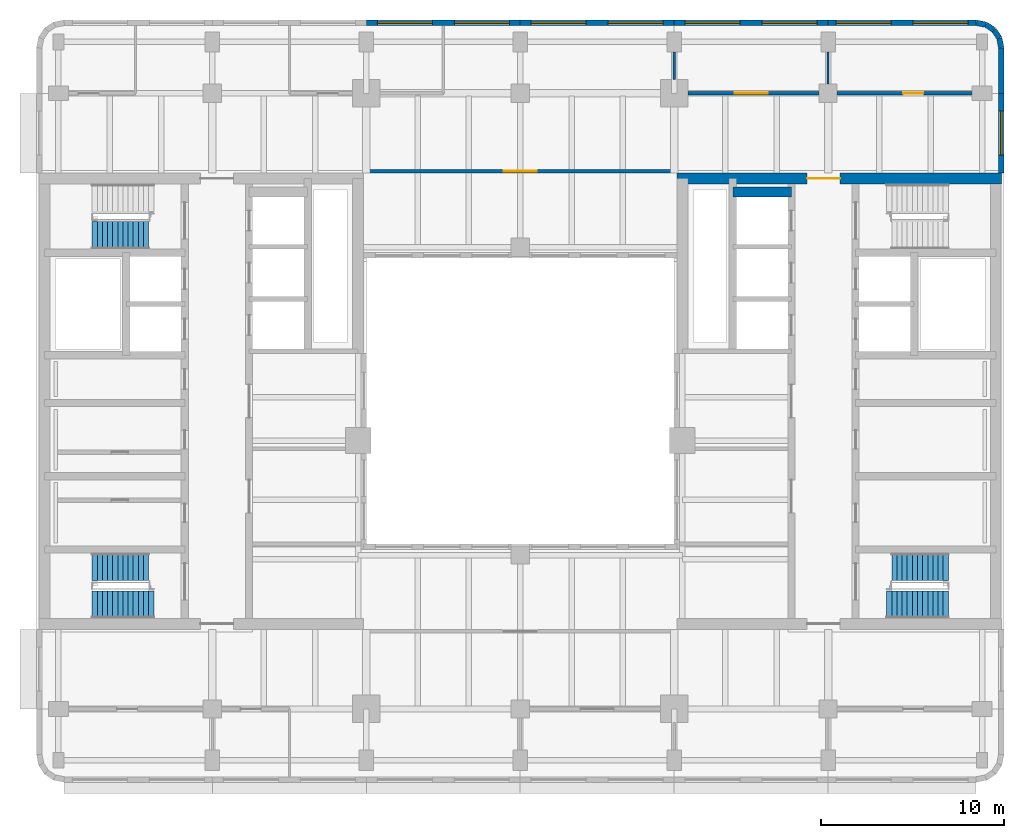
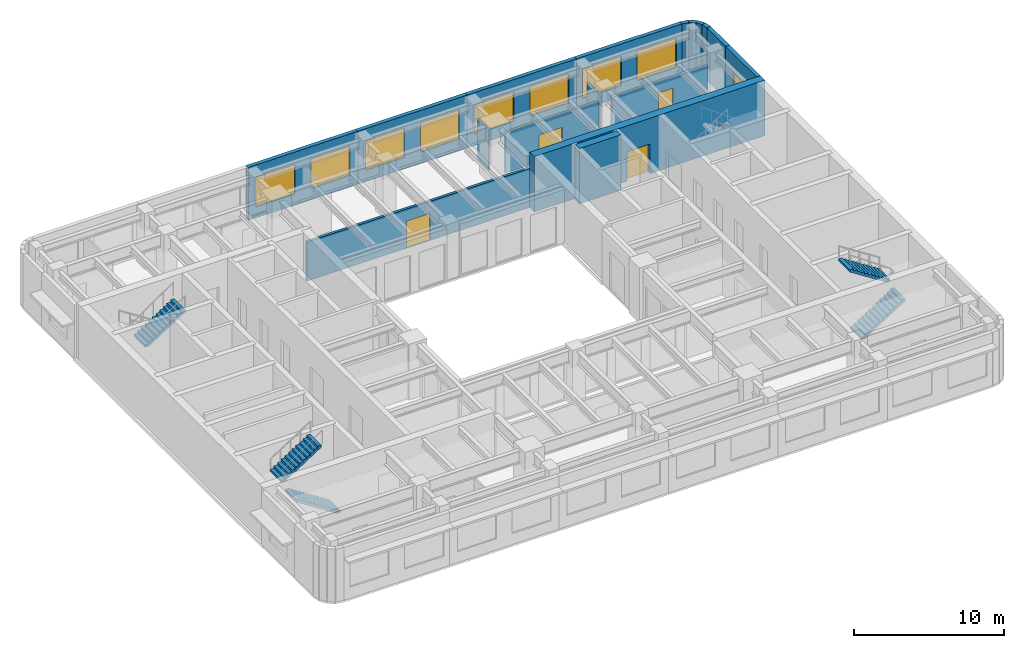
# One storey, part 7 of 13: 17 walls, 9 windows, 5 stair flights, 4 doors, 13 openings, 3 elements without a shape of their own.
"""IFC4 building model written with IfcOpenShell, lengths in metres."""

import ifcopenshell
import ifcopenshell.guid

model = None  # the IFC model being written
_history = None  # IfcOwnerHistory: only IFC2X3 demands one
_inside = {}  # id of a spatial element -> (the spatial element, [elements in it])
_under = {}  # id of a project, library or spatial element -> (it, [spatial elements below it])
_declared = {}  # id of a project -> (the project, [libraries it declares])
_typed = {}  # id of a type object -> (the type object, [elements of that type])
_made_of = {}  # id of a material, layer set ... -> (it, [elements and type objects made of it])


def new_model(schema):
    """Start an empty IFC model of exactly this schema.

    Asked for "IFC4X3", IfcOpenShell would pick the latest addendum, in which some entities
    have other attributes; the version numbers below select the first issue.
    IFC2X3 requires an IfcOwnerHistory on every rooted entity: one is made here for all.
    """
    global model, _history
    if schema == "IFC4X3":
        model = ifcopenshell.file(schema_version=(4, 3, 0, 0))
    else:
        model = ifcopenshell.file(schema=schema)
    _inside.clear()
    _under.clear()
    _declared.clear()
    _typed.clear()
    _made_of.clear()
    _history = None
    if model.schema == "IFC2X3":
        org = make("IfcOrganization", Name="unknown")
        user = make(
            "IfcPersonAndOrganization",
            ThePerson=make("IfcPerson", FamilyName="unknown"),
            TheOrganization=org,
        )
        app = make(
            "IfcApplication",
            ApplicationDeveloper=org,
            Version="unknown",
            ApplicationFullName="unknown",
            ApplicationIdentifier="unknown",
        )
        _history = make(
            "IfcOwnerHistory",
            OwningUser=user,
            OwningApplication=app,
            ChangeAction="ADDED",
            CreationDate=0,
        )
    return model


def make(cls, **values):
    """One entity of the class cls with the attributes given. An attribute that is None is left unset."""
    return model.create_entity(
        cls, **{name: value for name, value in values.items() if value is not None}
    )


def rooted(cls, **values):
    """An entity with a GlobalId (a new one), such as an element, a storey or a relation."""
    return make(cls, GlobalId=ifcopenshell.guid.new(), OwnerHistory=_history, **values)


def si_unit(unit_type, name, prefix=None):
    """IfcSIUnit, for example si_unit("LENGTHUNIT", "METRE", prefix="MILLI")."""
    return make("IfcSIUnit", UnitType=unit_type, Prefix=prefix, Name=name)


def assignment(units):
    """IfcUnitAssignment: the units of a project."""
    return None if units is None else make("IfcUnitAssignment", Units=units)


def point(xyz):
    """IfcCartesianPoint."""
    return None if xyz is None else make("IfcCartesianPoint", Coordinates=xyz)


def direction(xyz):
    """IfcDirection."""
    return None if xyz is None else make("IfcDirection", DirectionRatios=xyz)


def frame(location, z_axis=None, x_axis=None):
    """IfcAxis2Placement3D, a coordinate frame: its origin and axes. An axis left out is left unset."""
    return make(
        "IfcAxis2Placement3D",
        Location=point(location),
        Axis=direction(z_axis),
        RefDirection=direction(x_axis),
    )


def frame_2d(location, x_axis=None):
    """IfcAxis2Placement2D, a coordinate frame in the plane: its origin and x axis."""
    return make(
        "IfcAxis2Placement2D", Location=point(location), RefDirection=direction(x_axis)
    )


def origin():
    """The frame at (0, 0, 0) with its axes left unset."""
    return frame((0.0, 0.0, 0.0))


def place(relative_to, where):
    """IfcLocalPlacement: puts the frame where relative to a parent placement (None: the world)."""
    return make(
        "IfcLocalPlacement", PlacementRelTo=relative_to, RelativePlacement=where
    )


def context(
    kind, dimensions, precision=None, world=None, true_north=None, identifier=None
):
    """IfcGeometricRepresentationContext, for example the 3D "Model" context."""
    return make(
        "IfcGeometricRepresentationContext",
        ContextIdentifier=identifier,
        ContextType=kind,
        CoordinateSpaceDimension=dimensions,
        Precision=precision,
        WorldCoordinateSystem=world,
        TrueNorth=true_north,
    )


def subcontext(parent, identifier, kind, view, scale=None):
    """IfcGeometricRepresentationSubContext, for example "Body" below "Model"."""
    return make(
        "IfcGeometricRepresentationSubContext",
        ContextIdentifier=identifier,
        ContextType=kind,
        ParentContext=parent,
        TargetScale=scale,
        TargetView=view,
    )


def project(units=None, contexts=None):
    """IfcProject with its units and contexts."""
    return rooted(
        "IfcProject",
        Name="project",
        RepresentationContexts=contexts,
        UnitsInContext=assignment(units),
    )


def spatial(cls, under=None, at=None, **own):
    """A site, building, storey or space (cls), placed at a placement, below another one or the project."""
    s = rooted(cls, ObjectPlacement=at, **own)
    if under is not None:
        _under.setdefault(under.id(), (under, []))[1].append(s)
    return s


def polyline(points):
    """IfcPolyline through the points."""
    return make("IfcPolyline", Points=[point(p) for p in points])


def profile(cls, at=None, kind="AREA", **sizes):
    """A parametric profile (cls). Its sizes go by their IFC names, for example OverallWidth=200.0."""
    return make(cls, ProfileType=kind, Position=at, **sizes)


def rectangle(**sizes):
    """IfcRectangleProfileDef."""
    return profile("IfcRectangleProfileDef", **sizes)


def outline(outer, holes=None, kind="AREA"):
    """IfcArbitraryClosedProfileDef: a profile drawn as a closed curve; with holes, ...WithVoids."""
    if holes is None:
        return make("IfcArbitraryClosedProfileDef", ProfileType=kind, OuterCurve=outer)
    return make(
        "IfcArbitraryProfileDefWithVoids",
        ProfileType=kind,
        OuterCurve=outer,
        InnerCurves=holes,
    )


def extrude(swept, where, along, depth):
    """IfcExtrudedAreaSolid: the profile swept, set in the frame where, extruded along a direction by depth."""
    return make(
        "IfcExtrudedAreaSolid",
        SweptArea=swept,
        Position=where,
        ExtrudedDirection=direction(along),
        Depth=depth,
    )


def shape(context_of_items, identifier, shape_type, items):
    """IfcShapeRepresentation: the items that make up one representation, for example the "Body"."""
    return make(
        "IfcShapeRepresentation",
        ContextOfItems=context_of_items,
        RepresentationIdentifier=identifier,
        RepresentationType=shape_type,
        Items=items,
    )


def material(Name=None, Category=None):
    """IfcMaterial."""
    return make("IfcMaterial", Name=Name, Category=Category)


def layer(
    of_material, thickness, ventilated=None, Name=None, Category=None, Priority=None
):
    """IfcMaterialLayer: one layer of a wall or slab, of a material (None: an air gap)."""
    return make(
        "IfcMaterialLayer",
        Material=of_material,
        LayerThickness=thickness,
        IsVentilated=ventilated,
        Name=Name,
        Category=Category,
        Priority=Priority,
    )


def layer_set(layers, Name=None):
    """IfcMaterialLayerSet."""
    return make("IfcMaterialLayerSet", MaterialLayers=layers, LayerSetName=Name)


def made_of(thing, what):
    """Note that an element or type object is made of a material, layer set ...; save() writes the relation."""
    if what is not None:
        _made_of.setdefault(what.id(), (what, []))[1].append(thing)
    return thing


def type_object(cls, material=None, **own):
    """A type object (cls), such as IfcWallType, which elements share."""
    return made_of(rooted(cls, **own), material)


def element(
    cls,
    number,
    at=None,
    inside=None,
    cuts=None,
    type_object=None,
    material=None,
    context=None,
    identifier="Body",
    shape_type=None,
    held_by="IfcProductDefinitionShape",
    body=None,
    shapes=None,
    **own,
):
    """One element of the class cls, such as IfcWall. Its Tag is "e" and its number.

    at: its placement. inside: the storey or other place that contains it. cuts: it is an
    opening in that element (IfcRelVoidsElement). A single representation is given by context,
    identifier, shape_type and body (its items); several are given by shapes. held_by: the class
    of the entity that holds the representations. save() writes the other relations.
    """
    e = rooted(cls, Tag="e%d" % number, ObjectPlacement=at, **own)
    if body is not None:
        shapes = [shape(context, identifier, shape_type, body)]
    if shapes is not None:
        e.Representation = make(held_by, Representations=shapes)
    if inside is not None:
        _inside.setdefault(inside.id(), (inside, []))[1].append(e)
    if cuts is not None:
        rooted(
            "IfcRelVoidsElement", RelatingBuildingElement=cuts, RelatedOpeningElement=e
        )
    if type_object is not None:
        _typed.setdefault(type_object.id(), (type_object, []))[1].append(e)
    return made_of(e, material)


def fill(opening, filler):
    """IfcRelFillsElement: the door or window that sits in an opening."""
    return rooted(
        "IfcRelFillsElement",
        RelatingOpeningElement=opening,
        RelatedBuildingElement=filler,
    )


def aggregate(whole, parts):
    """IfcRelAggregates: a whole, such as a stair, and the parts it consists of."""
    return rooted("IfcRelAggregates", RelatingObject=whole, RelatedObjects=parts)


def save(model, path):
    """Write the relations noted so far, then the file.

    IfcRelAggregates (storeys below a building ...), IfcRelContainedInSpatialStructure (elements
    in a storey), IfcRelDefinesByType, IfcRelAssociatesMaterial and IfcRelDeclares: one each for
    every whole, place, type object, material and project.
    """
    for whole, parts in _under.values():
        aggregate(whole, parts)
    for where, things in _inside.values():
        rooted(
            "IfcRelContainedInSpatialStructure",
            RelatedElements=things,
            RelatingStructure=where,
        )
    for kind, things in _typed.values():
        rooted("IfcRelDefinesByType", RelatedObjects=things, RelatingType=kind)
    for what, things in _made_of.values():
        rooted("IfcRelAssociatesMaterial", RelatedObjects=things, RelatingMaterial=what)
    for by, libraries in _declared.values():
        rooted("IfcRelDeclares", RelatingContext=by, RelatedDefinitions=libraries)
    model.write(path)


model = new_model("IFC4")

# Units and contexts
model_context = context("Model", 3, precision=1e-05, world=origin(), true_north=direction((0.0, 1.0)))
body_context = subcontext(model_context, "Body", "Model", "MODEL_VIEW")
ifc_project = project(units=[si_unit("LENGTHUNIT", "METRE"), si_unit("AREAUNIT", "SQUARE_METRE"), si_unit("VOLUMEUNIT", "CUBIC_METRE"), si_unit("PLANEANGLEUNIT", "RADIAN"), si_unit("MASSUNIT", "GRAM", prefix="KILO")], contexts=[model_context])

# Site, building, storey
site_placement = place(None, origin())
site = spatial("IfcSite", under=ifc_project, at=site_placement, CompositionType="ELEMENT")
building_placement = place(site_placement, origin())
building = spatial("IfcBuilding", under=site, at=building_placement, Name="Claustro Exchange Tower", CompositionType="ELEMENT")
storey_placement = place(building_placement, frame((0.0, 0.0, 277.199951171875)))
storey = spatial("IfcBuildingStorey", under=building, at=storey_placement, Name="L63", CompositionType="ELEMENT", Elevation=277.199951171875)

# Walls
ifc_material_1 = material(Name="Laminated glass in aluminium frame", Category="aluminium")
ifc_layer_1 = layer(ifc_material_1, 0.1201171875)
ifc_layer_set_1 = layer_set([ifc_layer_1], Name="Laminated glass in aluminium frame")
wall_type_1 = type_object("IfcWallType", Name="P2 120 glazed partition", PredefinedType="PARTITIONING", material=ifc_layer_set_1)
wall_1_placement = place(storey_placement, frame((33.60009765625, 42.7490234375, 0.0), z_axis=(0.0, 0.0, 1.0), x_axis=(0.0, 1.0, 0.0)))
element("IfcWall", 1, at=wall_1_placement, inside=storey, type_object=wall_type_1, Name="Partition P2 L63", PredefinedType="PARTITIONING", context=body_context, shape_type="SweptSolid", body=[
    extrude(rectangle(XDim=1.501953125, YDim=0.1201171875, at=frame_2d((0.7509765625, 0.0))), origin(), (0.0, 0.0, 1.0), 3.2919921875),
])
wall_2_placement = place(storey_placement, frame((42.0, 42.4990234375, 0.0), z_axis=(0.0, 0.0, 1.0), x_axis=(0.0, 1.0, 0.0)))
element("IfcWall", 2, at=wall_2_placement, inside=storey, type_object=wall_type_1, Name="Partition P2 L63", PredefinedType="PARTITIONING", context=body_context, shape_type="SweptSolid", body=[
    extrude(rectangle(XDim=1.751953125, YDim=0.1201171875, at=frame_2d((0.8759765625, 0.0))), origin(), (0.0, 0.0, 1.0), 3.2919921875),
])

# Wall, opening, door
ifc_material_2 = material(Name="Twin-skin gypsum board on steel studs, mineral wool", Category="steel")
ifc_layer_2 = layer(ifc_material_2, 0.199951171875)
ifc_layer_set_2 = layer_set([ifc_layer_2], Name="Twin-skin gypsum board on steel studs, mineral wool")
wall_type_2 = type_object("IfcWallType", Name="P3 200 acoustic partition", PredefinedType="PARTITIONING", material=ifc_layer_set_2)
wall_3_placement = place(storey_placement, frame((34.34912109375, 42.0, 0.0), z_axis=(0.0, 0.0, 1.0), x_axis=(1.0, 0.0, 0.0)))
wall_3 = element("IfcWall", 3, at=wall_3_placement, inside=storey, type_object=wall_type_2, Name="Partition P3 L63", PredefinedType="PARTITIONING", context=body_context, shape_type="SweptSolid", body=[
    extrude(rectangle(XDim=7.15185546875, YDim=0.199951171875, at=frame_2d((3.575927734375, 0.0))), origin(), (0.0, 0.0, 1.0), 3.2919921875),
])
opening_1_placement = place(wall_3_placement, frame((2.551025390625, 0.0, 0.0)))
opening_1 = element("IfcOpeningElement", 4, at=opening_1_placement, cuts=wall_3, Name="Opening D2", PredefinedType="OPENING", context=body_context, shape_type="SweptSolid", body=[
    extrude(rectangle(XDim=1.800048828125, YDim=2.199951171875, at=frame_2d((0.89990234375, 1.10009765625))), frame((0.0, 0.10986328125, 0.0), z_axis=(0.0, -1.0, 0.0), x_axis=(1.0, 0.0, 0.0)), (0.0, 0.0, 1.0), 0.219970703125),
])
ifc_material_3 = material(Name="Timber door, oak veneer", Category="wood")
door_type_1 = type_object("IfcDoorType", Name="D2 1800 x 2200 double door", OperationType="DOUBLE_DOOR_SINGLE_SWING", PredefinedType="DOOR", material=ifc_material_3)
door_1_placement = place(opening_1_placement, origin())
door_1 = element("IfcDoor", 5, at=door_1_placement, inside=storey, type_object=door_type_1, Name="Double door D2 L63", OperationType="DOUBLE_DOOR_SINGLE_SWING", OverallHeight=2.199951171875, OverallWidth=1.800048828125, PredefinedType="DOOR", context=body_context, shape_type="SweptSolid", body=[
    extrude(rectangle(XDim=1.800048828125, YDim=2.199951171875, at=frame_2d((0.89990234375, 1.10009765625))), frame((0.0, 0.02490234375, 0.0), z_axis=(0.0, -1.0, 0.0), x_axis=(1.0, 0.0, 0.0)), (0.0, 0.0, 1.0), 0.050048828125),
])
fill(opening_1, door_1)

wall_4_placement = place(storey_placement, frame((42.4990234375, 42.0, 0.0), z_axis=(0.0, 0.0, 1.0), x_axis=(1.0, 0.0, 0.0)))
wall_4 = element("IfcWall", 6, at=wall_4_placement, inside=storey, type_object=wall_type_2, Name="Partition P3 L63", PredefinedType="PARTITIONING", context=body_context, shape_type="SweptSolid", body=[
    extrude(rectangle(XDim=7.35205078125, YDim=0.199951171875, at=frame_2d((3.676025390625, 0.0))), origin(), (0.0, 0.0, 1.0), 3.2919921875),
])
opening_2_placement = place(wall_4_placement, frame((3.60107421875, 0.0, 0.0)))
opening_2 = element("IfcOpeningElement", 7, at=opening_2_placement, cuts=wall_4, Name="Opening D8", PredefinedType="OPENING", context=body_context, shape_type="SweptSolid", body=[
    extrude(rectangle(XDim=1.10009765625, YDim=2.39990234375, at=frame_2d((0.550048828125, 1.199951171875))), frame((0.0, 0.10986328125, 0.0), z_axis=(0.0, -1.0, 0.0), x_axis=(1.0, 0.0, 0.0)), (0.0, 0.0, 1.0), 0.219970703125),
])
ifc_material_4 = material(Name="Timber door, walnut veneer", Category="wood")
door_type_2 = type_object("IfcDoorType", Name="D8 1100 x 2400 executive door", OperationType="SINGLE_SWING_LEFT", PredefinedType="DOOR", material=ifc_material_4)
door_2_placement = place(opening_2_placement, origin())
door_2 = element("IfcDoor", 8, at=door_2_placement, inside=storey, type_object=door_type_2, Name="Door D8 L63", OperationType="SINGLE_SWING_LEFT", OverallHeight=2.39990234375, OverallWidth=1.10009765625, PredefinedType="DOOR", context=body_context, shape_type="SweptSolid", body=[
    extrude(rectangle(XDim=1.10009765625, YDim=2.39990234375, at=frame_2d((0.550048828125, 1.199951171875))), frame((0.0, 0.02490234375, 0.0), z_axis=(0.0, -1.0, 0.0), x_axis=(1.0, 0.0, 0.0)), (0.0, 0.0, 1.0), 0.050048828125),
])
fill(opening_2, door_2)

wall_5_placement = place(storey_placement, frame((16.64990234375, 37.75, 0.0), z_axis=(0.0, 0.0, 1.0), x_axis=(1.0, 0.0, 0.0)))
wall_5 = element("IfcWall", 9, at=wall_5_placement, inside=storey, type_object=wall_type_2, Name="Partition P3 L63", PredefinedType="PARTITIONING", context=body_context, shape_type="SweptSolid", body=[
    extrude(rectangle(XDim=17.10009765625, YDim=0.199951171875, at=frame_2d((8.550048828125, 0.0))), origin(), (0.0, 0.0, 1.0), 3.18212890625),
])
opening_3_placement = place(wall_5_placement, frame((7.650146484375, 0.0, 0.0)))
opening_3 = element("IfcOpeningElement", 10, at=opening_3_placement, cuts=wall_5, Name="Opening D2", PredefinedType="OPENING", context=body_context, shape_type="SweptSolid", body=[
    extrude(rectangle(XDim=1.800048828125, YDim=2.199951171875, at=frame_2d((0.89990234375, 1.10009765625))), frame((0.0, 0.10986328125, 0.0), z_axis=(0.0, -1.0, 0.0), x_axis=(1.0, 0.0, 0.0)), (0.0, 0.0, 1.0), 0.219970703125),
])
door_3_placement = place(opening_3_placement, origin())
door_3 = element("IfcDoor", 11, at=door_3_placement, inside=storey, type_object=door_type_1, Name="Double door D2 L63", OperationType="DOUBLE_DOOR_SINGLE_SWING", OverallHeight=2.199951171875, OverallWidth=1.800048828125, PredefinedType="DOOR", context=body_context, shape_type="SweptSolid", body=[
    extrude(rectangle(XDim=1.800048828125, YDim=2.199951171875, at=frame_2d((0.89990234375, 1.10009765625))), frame((0.0, 0.02490234375, 0.0), z_axis=(0.0, -1.0, 0.0), x_axis=(1.0, 0.0, 0.0)), (0.0, 0.0, 1.0), 0.050048828125),
])
fill(opening_3, door_3)

# Wall, openings, windows
ifc_material_5 = material(Name="Concrete HA-40 (C40/50), precast, white cement, acid-etched", Category="concrete")
ifc_layer_3 = layer(ifc_material_5, 0.300048828125)
ifc_layer_set_3 = layer_set([ifc_layer_3], Name="Concrete HA-40 (C40/50), precast, white cement, acid-etched")
wall_type_3 = type_object("IfcWallType", Name="PC1 300 precast concrete pier panel", PredefinedType="SOLIDWALL", material=ifc_layer_set_3)
wall_6_placement = place(storey_placement, frame((16.800048828125, 45.85009765625, 0.0), z_axis=(0.0, 0.0, 1.0), x_axis=(1.0, 0.0, 0.0)))
wall_6 = element("IfcWall", 12, at=wall_6_placement, inside=storey, type_object=wall_type_3, Name="Precast pier panel PC1 L63", PredefinedType="SOLIDWALL", context=body_context, shape_type="SweptSolid", body=[
    extrude(rectangle(XDim=8.39990234375, YDim=0.300048828125, at=frame_2d((4.199951171875, 0.0))), origin(), (0.0, 0.0, 1.0), 4.300048828125),
])
opening_4_placement = place(wall_6_placement, frame((0.60009765625, 0.0, 0.89990234375)))
opening_4 = element("IfcOpeningElement", 13, at=opening_4_placement, cuts=wall_6, Name="Opening W3", PredefinedType="OPENING", context=body_context, shape_type="SweptSolid", body=[
    extrude(rectangle(XDim=3.0, YDim=2.39990234375, at=frame_2d((1.5, 1.199951171875))), frame((0.0, 0.159912109375, 0.0), z_axis=(0.0, -1.0, 0.0), x_axis=(1.0, 0.0, 0.0)), (0.0, 0.0, 1.0), 0.320068359375),
])
opening_5_placement = place(wall_6_placement, frame((4.800048828125, 0.0, 0.89990234375)))
opening_5 = element("IfcOpeningElement", 14, at=opening_5_placement, cuts=wall_6, Name="Opening W3", PredefinedType="OPENING", context=body_context, shape_type="SweptSolid", body=[
    extrude(rectangle(XDim=3.0, YDim=2.39990234375, at=frame_2d((1.5, 1.199951171875))), frame((0.0, 0.159912109375, 0.0), z_axis=(0.0, -1.0, 0.0), x_axis=(1.0, 0.0, 0.0)), (0.0, 0.0, 1.0), 0.320068359375),
])
ifc_material_6 = material(Name="Aluminium frame, clear double glazing", Category="aluminium")
window_type_1 = type_object("IfcWindowType", Name="W3 3000 x 2400 window", PartitioningType="SINGLE_PANEL", PredefinedType="WINDOW", material=ifc_material_6)
window_1_placement = place(opening_4_placement, origin())
window_1 = element("IfcWindow", 15, at=window_1_placement, inside=storey, type_object=window_type_1, Name="Window W3 L63", OverallHeight=2.39990234375, OverallWidth=3.0, PartitioningType="SINGLE_PANEL", PredefinedType="WINDOW", context=body_context, shape_type="SweptSolid", body=[
    extrude(rectangle(XDim=3.0, YDim=2.39990234375, at=frame_2d((1.5, 1.199951171875))), frame((0.0, 0.030029296875, 0.0), z_axis=(0.0, -1.0, 0.0), x_axis=(1.0, 0.0, 0.0)), (0.0, 0.0, 1.0), 0.06005859375),
])
fill(opening_4, window_1)
window_2_placement = place(opening_5_placement, origin())
window_2 = element("IfcWindow", 16, at=window_2_placement, inside=storey, type_object=window_type_1, Name="Window W3 L63", OverallHeight=2.39990234375, OverallWidth=3.0, PartitioningType="SINGLE_PANEL", PredefinedType="WINDOW", context=body_context, shape_type="SweptSolid", body=[
    extrude(rectangle(XDim=3.0, YDim=2.39990234375, at=frame_2d((1.5, 1.199951171875))), frame((0.0, 0.030029296875, 0.0), z_axis=(0.0, -1.0, 0.0), x_axis=(1.0, 0.0, 0.0)), (0.0, 0.0, 1.0), 0.06005859375),
])
fill(opening_5, window_2)

wall_7_placement = place(storey_placement, frame((25.199951171875, 45.85009765625, 0.0), z_axis=(0.0, 0.0, 1.0), x_axis=(1.0, 0.0, 0.0)))
wall_7 = element("IfcWall", 17, at=wall_7_placement, inside=storey, type_object=wall_type_3, Name="Precast pier panel PC1 L63", PredefinedType="SOLIDWALL", context=body_context, shape_type="SweptSolid", body=[
    extrude(rectangle(XDim=8.400146484375, YDim=0.300048828125, at=frame_2d((4.2001953125, 0.0))), origin(), (0.0, 0.0, 1.0), 4.300048828125),
])
opening_6_placement = place(wall_7_placement, frame((0.60009765625, 0.0, 0.89990234375)))
opening_6 = element("IfcOpeningElement", 18, at=opening_6_placement, cuts=wall_7, Name="Opening W3", PredefinedType="OPENING", context=body_context, shape_type="SweptSolid", body=[
    extrude(rectangle(XDim=3.0, YDim=2.39990234375, at=frame_2d((1.5, 1.199951171875))), frame((0.0, 0.159912109375, 0.0), z_axis=(0.0, -1.0, 0.0), x_axis=(1.0, 0.0, 0.0)), (0.0, 0.0, 1.0), 0.320068359375),
])
opening_7_placement = place(wall_7_placement, frame((4.800048828125, 0.0, 0.89990234375)))
opening_7 = element("IfcOpeningElement", 19, at=opening_7_placement, cuts=wall_7, Name="Opening W3", PredefinedType="OPENING", context=body_context, shape_type="SweptSolid", body=[
    extrude(rectangle(XDim=3.0, YDim=2.39990234375, at=frame_2d((1.5, 1.199951171875))), frame((0.0, 0.159912109375, 0.0), z_axis=(0.0, -1.0, 0.0), x_axis=(1.0, 0.0, 0.0)), (0.0, 0.0, 1.0), 0.320068359375),
])
window_3_placement = place(opening_6_placement, origin())
window_3 = element("IfcWindow", 20, at=window_3_placement, inside=storey, type_object=window_type_1, Name="Window W3 L63", OverallHeight=2.39990234375, OverallWidth=3.0, PartitioningType="SINGLE_PANEL", PredefinedType="WINDOW", context=body_context, shape_type="SweptSolid", body=[
    extrude(rectangle(XDim=3.0, YDim=2.39990234375, at=frame_2d((1.5, 1.199951171875))), frame((0.0, 0.030029296875, 0.0), z_axis=(0.0, -1.0, 0.0), x_axis=(1.0, 0.0, 0.0)), (0.0, 0.0, 1.0), 0.06005859375),
])
fill(opening_6, window_3)
window_4_placement = place(opening_7_placement, origin())
window_4 = element("IfcWindow", 21, at=window_4_placement, inside=storey, type_object=window_type_1, Name="Window W3 L63", OverallHeight=2.39990234375, OverallWidth=3.0, PartitioningType="SINGLE_PANEL", PredefinedType="WINDOW", context=body_context, shape_type="SweptSolid", body=[
    extrude(rectangle(XDim=3.0, YDim=2.39990234375, at=frame_2d((1.5, 1.199951171875))), frame((0.0, 0.030029296875, 0.0), z_axis=(0.0, -1.0, 0.0), x_axis=(1.0, 0.0, 0.0)), (0.0, 0.0, 1.0), 0.06005859375),
])
fill(opening_7, window_4)

wall_8_placement = place(storey_placement, frame((33.60009765625, 45.85009765625, 0.0), z_axis=(0.0, 0.0, 1.0), x_axis=(1.0, 0.0, 0.0)))
wall_8 = element("IfcWall", 22, at=wall_8_placement, inside=storey, type_object=wall_type_3, Name="Precast pier panel PC1 L63", PredefinedType="SOLIDWALL", context=body_context, shape_type="SweptSolid", body=[
    extrude(rectangle(XDim=8.39990234375, YDim=0.300048828125, at=frame_2d((4.199951171875, 0.0))), origin(), (0.0, 0.0, 1.0), 4.300048828125),
])
opening_8_placement = place(wall_8_placement, frame((0.60009765625, 0.0, 0.89990234375)))
opening_8 = element("IfcOpeningElement", 23, at=opening_8_placement, cuts=wall_8, Name="Opening W3", PredefinedType="OPENING", context=body_context, shape_type="SweptSolid", body=[
    extrude(rectangle(XDim=3.0, YDim=2.39990234375, at=frame_2d((1.5, 1.199951171875))), frame((0.0, 0.159912109375, 0.0), z_axis=(0.0, -1.0, 0.0), x_axis=(1.0, 0.0, 0.0)), (0.0, 0.0, 1.0), 0.320068359375),
])
opening_9_placement = place(wall_8_placement, frame((4.800048828125, 0.0, 0.89990234375)))
opening_9 = element("IfcOpeningElement", 24, at=opening_9_placement, cuts=wall_8, Name="Opening W3", PredefinedType="OPENING", context=body_context, shape_type="SweptSolid", body=[
    extrude(rectangle(XDim=3.0, YDim=2.39990234375, at=frame_2d((1.5, 1.199951171875))), frame((0.0, 0.159912109375, 0.0), z_axis=(0.0, -1.0, 0.0), x_axis=(1.0, 0.0, 0.0)), (0.0, 0.0, 1.0), 0.320068359375),
])
window_5_placement = place(opening_8_placement, origin())
window_5 = element("IfcWindow", 25, at=window_5_placement, inside=storey, type_object=window_type_1, Name="Window W3 L63", OverallHeight=2.39990234375, OverallWidth=3.0, PartitioningType="SINGLE_PANEL", PredefinedType="WINDOW", context=body_context, shape_type="SweptSolid", body=[
    extrude(rectangle(XDim=3.0, YDim=2.39990234375, at=frame_2d((1.5, 1.199951171875))), frame((0.0, 0.030029296875, 0.0), z_axis=(0.0, -1.0, 0.0), x_axis=(1.0, 0.0, 0.0)), (0.0, 0.0, 1.0), 0.06005859375),
])
fill(opening_8, window_5)
window_6_placement = place(opening_9_placement, origin())
window_6 = element("IfcWindow", 26, at=window_6_placement, inside=storey, type_object=window_type_1, Name="Window W3 L63", OverallHeight=2.39990234375, OverallWidth=3.0, PartitioningType="SINGLE_PANEL", PredefinedType="WINDOW", context=body_context, shape_type="SweptSolid", body=[
    extrude(rectangle(XDim=3.0, YDim=2.39990234375, at=frame_2d((1.5, 1.199951171875))), frame((0.0, 0.030029296875, 0.0), z_axis=(0.0, -1.0, 0.0), x_axis=(1.0, 0.0, 0.0)), (0.0, 0.0, 1.0), 0.06005859375),
])
fill(opening_9, window_6)

wall_9_placement = place(storey_placement, frame((42.0, 45.85009765625, 0.0), z_axis=(0.0, 0.0, 1.0), x_axis=(1.0, 0.0, 0.0)))
wall_9 = element("IfcWall", 27, at=wall_9_placement, inside=storey, type_object=wall_type_3, Name="Precast pier panel PC1 L63", PredefinedType="SOLIDWALL", context=body_context, shape_type="SweptSolid", body=[
    extrude(rectangle(XDim=8.085205078125, YDim=0.300048828125, at=frame_2d((4.04248046875, 0.0))), origin(), (0.0, 0.0, 1.0), 4.300048828125),
])
opening_10_placement = place(wall_9_placement, frame((0.442626953125, 0.0, 0.89990234375)))
opening_10 = element("IfcOpeningElement", 28, at=opening_10_placement, cuts=wall_9, Name="Opening W3", PredefinedType="OPENING", context=body_context, shape_type="SweptSolid", body=[
    extrude(rectangle(XDim=3.0, YDim=2.39990234375, at=frame_2d((1.5, 1.199951171875))), frame((0.0, 0.159912109375, 0.0), z_axis=(0.0, -1.0, 0.0), x_axis=(1.0, 0.0, 0.0)), (0.0, 0.0, 1.0), 0.320068359375),
])
opening_11_placement = place(wall_9_placement, frame((4.642578125, 0.0, 0.89990234375)))
opening_11 = element("IfcOpeningElement", 29, at=opening_11_placement, cuts=wall_9, Name="Opening W3", PredefinedType="OPENING", context=body_context, shape_type="SweptSolid", body=[
    extrude(rectangle(XDim=3.0, YDim=2.39990234375, at=frame_2d((1.5, 1.199951171875))), frame((0.0, 0.159912109375, 0.0), z_axis=(0.0, -1.0, 0.0), x_axis=(1.0, 0.0, 0.0)), (0.0, 0.0, 1.0), 0.320068359375),
])
window_7_placement = place(opening_10_placement, origin())
window_7 = element("IfcWindow", 30, at=window_7_placement, inside=storey, type_object=window_type_1, Name="Window W3 L63", OverallHeight=2.39990234375, OverallWidth=3.0, PartitioningType="SINGLE_PANEL", PredefinedType="WINDOW", context=body_context, shape_type="SweptSolid", body=[
    extrude(rectangle(XDim=3.0, YDim=2.39990234375, at=frame_2d((1.5, 1.199951171875))), frame((0.0, 0.030029296875, 0.0), z_axis=(0.0, -1.0, 0.0), x_axis=(1.0, 0.0, 0.0)), (0.0, 0.0, 1.0), 0.06005859375),
])
fill(opening_10, window_7)
window_8_placement = place(opening_11_placement, origin())
window_8 = element("IfcWindow", 31, at=window_8_placement, inside=storey, type_object=window_type_1, Name="Window W3 L63", OverallHeight=2.39990234375, OverallWidth=3.0, PartitioningType="SINGLE_PANEL", PredefinedType="WINDOW", context=body_context, shape_type="SweptSolid", body=[
    extrude(rectangle(XDim=3.0, YDim=2.39990234375, at=frame_2d((1.5, 1.199951171875))), frame((0.0, 0.030029296875, 0.0), z_axis=(0.0, -1.0, 0.0), x_axis=(1.0, 0.0, 0.0)), (0.0, 0.0, 1.0), 0.06005859375),
])
fill(opening_11, window_8)

# Walls
wall_10_placement = place(storey_placement, frame((50.085205078125, 45.85009765625, 0.0), z_axis=(0.0, 0.0, 1.0), x_axis=(0.980702050465, -0.1955082817, 0.0)))
element("IfcWall", 32, at=wall_10_placement, inside=storey, type_object=wall_type_3, Name="Precast pier panel PC1 L63", PredefinedType="SOLIDWALL", context=body_context, shape_type="SweptSolid", body=[
    extrude(rectangle(XDim=0.540771484375, YDim=0.300048828125, at=frame_2d((0.2705078125, 0.0))), origin(), (0.0, 0.0, 1.0), 4.300048828125),
])
wall_11_placement = place(storey_placement, frame((50.615478515625, 45.744384765625, 0.0), z_axis=(0.0, 0.0, 1.0), x_axis=(0.831692711774, -0.555236195849, 0.0)))
element("IfcWall", 33, at=wall_11_placement, inside=storey, type_object=wall_type_3, Name="Precast pier panel PC1 L63", PredefinedType="SOLIDWALL", context=body_context, shape_type="SweptSolid", body=[
    extrude(rectangle(XDim=0.525390625, YDim=0.300048828125, at=frame_2d((0.2626953125, 0.0))), origin(), (0.0, 0.0, 1.0), 4.300048828125),
])
wall_12_placement = place(storey_placement, frame((51.052490234375, 45.45263671875, 0.0), z_axis=(0.0, 0.0, 1.0), x_axis=(0.55534295404, -0.831621430339, 0.0)))
element("IfcWall", 34, at=wall_12_placement, inside=storey, type_object=wall_type_3, Name="Precast pier panel PC1 L63", PredefinedType="SOLIDWALL", context=body_context, shape_type="SweptSolid", body=[
    extrude(rectangle(XDim=0.52587890625, YDim=0.300048828125, at=frame_2d((0.262939453125, 0.0))), origin(), (0.0, 0.0, 1.0), 4.300048828125),
])
wall_13_placement = place(storey_placement, frame((51.344482421875, 45.015380859375, 0.0), z_axis=(0.0, 0.0, 1.0), x_axis=(0.195073962632, -0.980788534345, 0.0)))
element("IfcWall", 35, at=wall_13_placement, inside=storey, type_object=wall_type_3, Name="Precast pier panel PC1 L63", PredefinedType="SOLIDWALL", context=body_context, shape_type="SweptSolid", body=[
    extrude(rectangle(XDim=0.540771484375, YDim=0.300048828125, at=frame_2d((0.2705078125, 0.0))), origin(), (0.0, 0.0, 1.0), 4.300048828125),
])
wall_14_placement = place(storey_placement, frame((51.449951171875, 44.485107421875, 0.0), z_axis=(0.0, 0.0, 1.0), x_axis=(0.0, -1.0, 0.0)))
element("IfcWall", 36, at=wall_14_placement, inside=storey, type_object=wall_type_3, Name="Precast pier panel PC1 L63", PredefinedType="SOLIDWALL", context=body_context, shape_type="SweptSolid", body=[
    extrude(rectangle(XDim=2.485107421875, YDim=0.300048828125, at=frame_2d((1.24267578125, 0.0))), origin(), (0.0, 0.0, 1.0), 4.300048828125),
])

# Wall, opening, window
wall_15_placement = place(storey_placement, frame((51.449951171875, 42.0, 0.0), z_axis=(0.0, 0.0, 1.0), x_axis=(0.0, -1.0, 0.0)))
wall_15 = element("IfcWall", 37, at=wall_15_placement, inside=storey, type_object=wall_type_3, Name="Precast pier panel PC1 L63", PredefinedType="SOLIDWALL", context=body_context, shape_type="SweptSolid", body=[
    extrude(rectangle(XDim=4.35009765625, YDim=0.300048828125, at=frame_2d((2.175048828125, 0.0))), origin(), (0.0, 0.0, 1.0), 4.300048828125),
])
opening_12_placement = place(wall_15_placement, frame((0.97509765625, 0.0, 0.89990234375)))
opening_12 = element("IfcOpeningElement", 38, at=opening_12_placement, cuts=wall_15, Name="Opening W2", PredefinedType="OPENING", context=body_context, shape_type="SweptSolid", body=[
    extrude(rectangle(XDim=2.39990234375, YDim=1.89990234375, at=frame_2d((1.199951171875, 0.949951171875))), frame((0.0, 0.159912109375, 0.0), z_axis=(0.0, -1.0, 0.0), x_axis=(1.0, 0.0, 0.0)), (0.0, 0.0, 1.0), 0.320068359375),
])
ifc_material_7 = material(Name="Aluminium frame, clear double glazing", Category="aluminium")
window_type_2 = type_object("IfcWindowType", Name="W2 2400 x 1900 window", PartitioningType="SINGLE_PANEL", PredefinedType="WINDOW", material=ifc_material_7)
window_9_placement = place(opening_12_placement, origin())
window_9 = element("IfcWindow", 39, at=window_9_placement, inside=storey, type_object=window_type_2, Name="Window W2 L63", OverallHeight=1.89990234375, OverallWidth=2.39990234375, PartitioningType="SINGLE_PANEL", PredefinedType="WINDOW", context=body_context, shape_type="SweptSolid", body=[
    extrude(rectangle(XDim=2.39990234375, YDim=1.89990234375, at=frame_2d((1.199951171875, 0.949951171875))), frame((0.0, 0.030029296875, 0.0), z_axis=(0.0, -1.0, 0.0), x_axis=(1.0, 0.0, 0.0)), (0.0, 0.0, 1.0), 0.06005859375),
])
fill(opening_12, window_9)

# Wall, opening, door
ifc_material_8 = material(Name="Concrete HA-50 (C50/60)", Category="concrete")
ifc_layer_4 = layer(ifc_material_8, 0.60009765625)
ifc_layer_set_4 = layer_set([ifc_layer_4], Name="Concrete HA-50 (C50/60)")
wall_type_4 = type_object("IfcWallType", Name="SW3 600 core shear wall", PredefinedType="SHEAR", material=ifc_layer_set_4)
wall_16_placement = place(storey_placement, frame((33.75, 37.35009765625, 0.0), z_axis=(0.0, 0.0, 1.0), x_axis=(1.0, 0.0, 0.0)))
wall_16 = element("IfcWall", 40, at=wall_16_placement, inside=storey, type_object=wall_type_4, Name="Core wall SW3 E core N face L63", PredefinedType="SHEAR", context=body_context, shape_type="SweptSolid", body=[
    extrude(rectangle(XDim=17.699951171875, YDim=0.60009765625, at=frame_2d((8.85009765625, 0.0))), origin(), (0.0, 0.0, 1.0), 4.5),
])
opening_13_placement = place(wall_16_placement, frame((7.10009765625, 0.0, 0.0)))
opening_13 = element("IfcOpeningElement", 41, at=opening_13_placement, cuts=wall_16, Name="Opening D3", PredefinedType="OPENING", context=body_context, shape_type="SweptSolid", body=[
    extrude(rectangle(XDim=1.800048828125, YDim=2.39990234375, at=frame_2d((0.89990234375, 1.199951171875))), frame((0.0, 0.31005859375, 0.0), z_axis=(0.0, -1.0, 0.0), x_axis=(1.0, 0.0, 0.0)), (0.0, 0.0, 1.0), 0.6201171875),
])
ifc_material_9 = material(Name="Steel fire door, painted", Category="steel")
door_type_3 = type_object("IfcDoorType", Name="D3 1800 x 2400 fire-rated lobby double door", OperationType="DOUBLE_DOOR_SINGLE_SWING", PredefinedType="DOOR", material=ifc_material_9)
door_4_placement = place(opening_13_placement, frame((1.800048828125, 0.0, 0.0), z_axis=(0.0, 0.0, 1.0), x_axis=(-1.0, 0.0, 0.0)))
door_4 = element("IfcDoor", 42, at=door_4_placement, inside=storey, type_object=door_type_3, Name="Lift lobby door D3 L63", OperationType="DOUBLE_DOOR_SINGLE_SWING", OverallHeight=2.39990234375, OverallWidth=1.800048828125, PredefinedType="DOOR", context=body_context, shape_type="SweptSolid", body=[
    extrude(rectangle(XDim=1.800048828125, YDim=2.39990234375, at=frame_2d((0.89990234375, 1.199951171875))), frame((0.0, 0.02490234375, 0.0), z_axis=(0.0, -1.0, 0.0), x_axis=(1.0, 0.0, 0.0)), (0.0, 0.0, 1.0), 0.050048828125),
])
fill(opening_13, door_4)

# Wall
ifc_material_10 = material(Name="Concrete HA-50 (C50/60)", Category="concrete")
ifc_layer_5 = layer(ifc_material_10, 0.550048828125)
ifc_layer_set_5 = layer_set([ifc_layer_5], Name="Concrete HA-50 (C50/60)")
wall_type_5 = type_object("IfcWallType", Name="SW6 550 lift shaft end wall", PredefinedType="SHEAR", material=ifc_layer_set_5)
wall_17_placement = place(storey_placement, frame((40.0, 36.625, 0.0), z_axis=(0.0, 0.0, 1.0), x_axis=(-1.0, 0.0, 0.0)))
element("IfcWall", 43, at=wall_17_placement, inside=storey, type_object=wall_type_5, Name="Lift shaft wall E core L63", PredefinedType="SHEAR", context=body_context, shape_type="SweptSolid", body=[
    extrude(rectangle(XDim=3.199951171875, YDim=0.550048828125, at=frame_2d((1.60009765625, 0.0))), origin(), (0.0, 0.0, 1.0), 4.5),
])

# Stair, stair flight
ifc_material_11 = material(Name="Concrete HA-30 (C30/37), precast", Category="concrete")
stair_type = type_object("IfcStairType", Name="ST2 half-turn stair, 25 risers of 180", PredefinedType="HALF_TURN_STAIR", material=ifc_material_11)
stair_1_placement = place(storey_placement, origin())
stair_1 = element("IfcStair", 44, at=stair_1_placement, inside=storey, type_object=stair_type, Name="Stair STWA L63", PredefinedType="HALF_TURN_STAIR")
ifc_material_12 = material(Name="Concrete HA-30 (C30/37), precast", Category="concrete")
stair_flight_type_1 = type_object("IfcStairFlightType", Name="SF12B straight flight, 12 risers of 180, 1500 wide", PredefinedType="STRAIGHT", material=ifc_material_12)
stair_flight_1_placement = place(storey_placement, frame((1.840087890625, 16.14990234375, 2.340087890625), z_axis=(0.0, 0.0, 1.0), x_axis=(1.0, 0.0, 0.0)))
stair_flight_1 = element("IfcStairFlight", 45, at=stair_flight_1_placement, type_object=stair_flight_type_1, Name="STWA flight 2", NumberOfRisers=12, NumberOfTreads=11, PredefinedType="STRAIGHT", RiserHeight=0.18, TreadLength=0.28, context=body_context, shape_type="SweptSolid", body=[
    extrude(outline(polyline([(0.0, 0.0), (0.0, 0.179931640625), (0.280029296875, 0.179931640625), (0.280029296875, 0.360107421875), (0.56005859375, 0.360107421875), (0.56005859375, 0.5400390625), (0.840087890625, 0.5400390625), (0.840087890625, 0.719970703125), (1.1201171875, 0.719970703125), (1.1201171875, 0.89990234375), (1.39990234375, 0.89990234375), (1.39990234375, 1.080078125), (1.679931640625, 1.080078125), (1.679931640625, 1.260009765625), (1.9599609375, 1.260009765625), (1.9599609375, 1.43994140625), (2.239990234375, 1.43994140625), (2.239990234375, 1.6201171875), (2.52001953125, 1.6201171875), (2.52001953125, 1.800048828125), (2.800048828125, 1.800048828125), (2.800048828125, 1.97998046875), (3.080078125, 1.97998046875), (3.080078125, 2.159912109375), (3.080078125, 1.8017578125), (0.277099609375, 0.0), (0.0, 0.0)])), frame((0.0, 0.75, 0.0), z_axis=(0.0, -1.0, 0.0), x_axis=(1.0, 0.0, 0.0)), (0.0, 0.0, 1.0), 1.5),
])

stair_2_placement = place(storey_placement, origin())
stair_2 = element("IfcStair", 46, at=stair_2_placement, inside=storey, type_object=stair_type, Name="Stair STWB L63", PredefinedType="HALF_TURN_STAIR")
stair_flight_2_placement = place(storey_placement, frame((1.840087890625, 34.25, 2.340087890625), z_axis=(0.0, 0.0, 1.0), x_axis=(1.0, 0.0, 0.0)))
stair_flight_2 = element("IfcStairFlight", 47, at=stair_flight_2_placement, type_object=stair_flight_type_1, Name="STWB flight 2", NumberOfRisers=12, NumberOfTreads=11, PredefinedType="STRAIGHT", RiserHeight=0.18, TreadLength=0.28, context=body_context, shape_type="SweptSolid", body=[
    extrude(outline(polyline([(0.0, 0.0), (0.0, 0.179931640625), (0.280029296875, 0.179931640625), (0.280029296875, 0.360107421875), (0.56005859375, 0.360107421875), (0.56005859375, 0.5400390625), (0.840087890625, 0.5400390625), (0.840087890625, 0.719970703125), (1.1201171875, 0.719970703125), (1.1201171875, 0.89990234375), (1.39990234375, 0.89990234375), (1.39990234375, 1.080078125), (1.679931640625, 1.080078125), (1.679931640625, 1.260009765625), (1.9599609375, 1.260009765625), (1.9599609375, 1.43994140625), (2.239990234375, 1.43994140625), (2.239990234375, 1.6201171875), (2.52001953125, 1.6201171875), (2.52001953125, 1.800048828125), (2.800048828125, 1.800048828125), (2.800048828125, 1.97998046875), (3.080078125, 1.97998046875), (3.080078125, 2.159912109375), (3.080078125, 1.8017578125), (0.277099609375, 0.0), (0.0, 0.0)])), frame((0.0, 0.75, 0.0), z_axis=(0.0, -1.0, 0.0), x_axis=(1.0, 0.0, 0.0)), (0.0, 0.0, 1.0), 1.5),
])
aggregate(stair_2, [stair_flight_2])

stair_3_placement = place(storey_placement, origin())
stair_3 = element("IfcStair", 48, at=stair_3_placement, inside=storey, type_object=stair_type, Name="Stair STEA L63", PredefinedType="HALF_TURN_STAIR")
stair_flight_3_placement = place(storey_placement, frame((48.56005859375, 16.14990234375, 2.340087890625), z_axis=(0.0, 0.0, 1.0), x_axis=(-1.0, 0.0, 0.0)))
stair_flight_3 = element("IfcStairFlight", 49, at=stair_flight_3_placement, type_object=stair_flight_type_1, Name="STEA flight 2", NumberOfRisers=12, NumberOfTreads=11, PredefinedType="STRAIGHT", RiserHeight=0.18, TreadLength=0.28, context=body_context, shape_type="SweptSolid", body=[
    extrude(outline(polyline([(0.0, 0.0), (0.0, 0.179931640625), (0.280029296875, 0.179931640625), (0.280029296875, 0.360107421875), (0.56005859375, 0.360107421875), (0.56005859375, 0.5400390625), (0.840087890625, 0.5400390625), (0.840087890625, 0.719970703125), (1.1201171875, 0.719970703125), (1.1201171875, 0.89990234375), (1.39990234375, 0.89990234375), (1.39990234375, 1.080078125), (1.679931640625, 1.080078125), (1.679931640625, 1.260009765625), (1.9599609375, 1.260009765625), (1.9599609375, 1.43994140625), (2.239990234375, 1.43994140625), (2.239990234375, 1.6201171875), (2.52001953125, 1.6201171875), (2.52001953125, 1.800048828125), (2.800048828125, 1.800048828125), (2.800048828125, 1.97998046875), (3.080078125, 1.97998046875), (3.080078125, 2.159912109375), (3.080078125, 1.8017578125), (0.277099609375, 0.0), (0.0, 0.0)])), frame((0.0, 0.75, 0.0), z_axis=(0.0, -1.0, 0.0), x_axis=(1.0, 0.0, 0.0)), (0.0, 0.0, 1.0), 1.5),
])

# Stair flight
ifc_material_13 = material(Name="Concrete HA-30 (C30/37), precast", Category="concrete")
stair_flight_type_2 = type_object("IfcStairFlightType", Name="SF13 straight flight, 13 risers of 180, 1500 wide", PredefinedType="STRAIGHT", material=ifc_material_13)
stair_flight_4_placement = place(storey_placement, frame((5.199951171875, 14.10009765625, 0.0), z_axis=(0.0, 0.0, 1.0), x_axis=(-1.0, 0.0, 0.0)))
stair_flight_4 = element("IfcStairFlight", 50, at=stair_flight_4_placement, type_object=stair_flight_type_2, Name="STWA flight 1", NumberOfRisers=13, NumberOfTreads=12, PredefinedType="STRAIGHT", RiserHeight=0.18, TreadLength=0.28, context=body_context, shape_type="SweptSolid", body=[
    extrude(outline(polyline([(0.0, 0.0), (0.0, 0.179931640625), (0.280029296875, 0.179931640625), (0.280029296875, 0.360107421875), (0.56005859375, 0.360107421875), (0.56005859375, 0.5400390625), (0.840087890625, 0.5400390625), (0.840087890625, 0.719970703125), (1.1201171875, 0.719970703125), (1.1201171875, 0.89990234375), (1.39990234375, 0.89990234375), (1.39990234375, 1.080078125), (1.679931640625, 1.080078125), (1.679931640625, 1.260009765625), (1.9599609375, 1.260009765625), (1.9599609375, 1.43994140625), (2.239990234375, 1.43994140625), (2.239990234375, 1.6201171875), (2.52001953125, 1.6201171875), (2.52001953125, 1.800048828125), (2.800048828125, 1.800048828125), (2.800048828125, 1.97998046875), (3.080078125, 1.97998046875), (3.080078125, 2.159912109375), (3.360107421875, 2.159912109375), (3.360107421875, 2.340087890625), (3.360107421875, 1.981689453125), (0.277099609375, 0.0), (0.0, 0.0)])), frame((0.0, 0.75, 0.0), z_axis=(0.0, -1.0, 0.0), x_axis=(1.0, 0.0, 0.0)), (0.0, 0.0, 1.0), 1.5),
])

aggregate(stair_1, [stair_flight_4, stair_flight_1])

stair_flight_5_placement = place(storey_placement, frame((45.199951171875, 14.10009765625, 0.0), z_axis=(0.0, 0.0, 1.0), x_axis=(1.0, 0.0, 0.0)))
stair_flight_5 = element("IfcStairFlight", 51, at=stair_flight_5_placement, type_object=stair_flight_type_2, Name="STEA flight 1", NumberOfRisers=13, NumberOfTreads=12, PredefinedType="STRAIGHT", RiserHeight=0.18, TreadLength=0.28, context=body_context, shape_type="SweptSolid", body=[
    extrude(outline(polyline([(0.0, 0.0), (0.0, 0.179931640625), (0.280029296875, 0.179931640625), (0.280029296875, 0.360107421875), (0.56005859375, 0.360107421875), (0.56005859375, 0.5400390625), (0.840087890625, 0.5400390625), (0.840087890625, 0.719970703125), (1.1201171875, 0.719970703125), (1.1201171875, 0.89990234375), (1.39990234375, 0.89990234375), (1.39990234375, 1.080078125), (1.679931640625, 1.080078125), (1.679931640625, 1.260009765625), (1.9599609375, 1.260009765625), (1.9599609375, 1.43994140625), (2.239990234375, 1.43994140625), (2.239990234375, 1.6201171875), (2.52001953125, 1.6201171875), (2.52001953125, 1.800048828125), (2.800048828125, 1.800048828125), (2.800048828125, 1.97998046875), (3.080078125, 1.97998046875), (3.080078125, 2.159912109375), (3.360107421875, 2.159912109375), (3.360107421875, 2.340087890625), (3.360107421875, 1.981689453125), (0.277099609375, 0.0), (0.0, 0.0)])), frame((0.0, 0.75, 0.0), z_axis=(0.0, -1.0, 0.0), x_axis=(1.0, 0.0, 0.0)), (0.0, 0.0, 1.0), 1.5),
])

aggregate(stair_3, [stair_flight_5, stair_flight_3])

save(model, "model.ifc")
